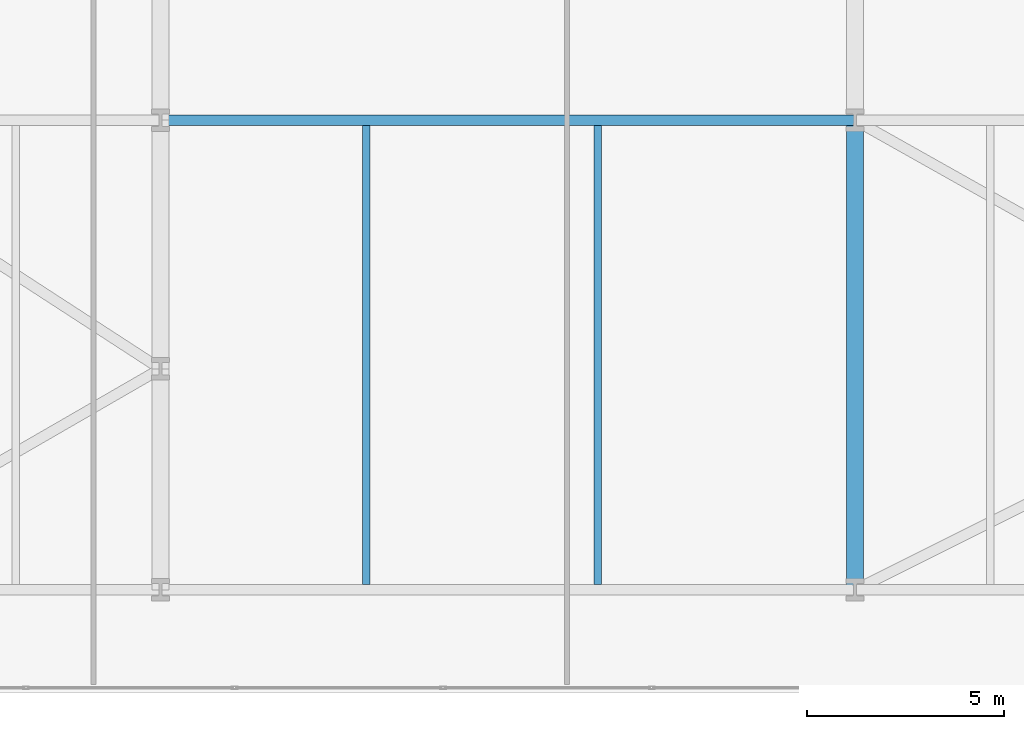
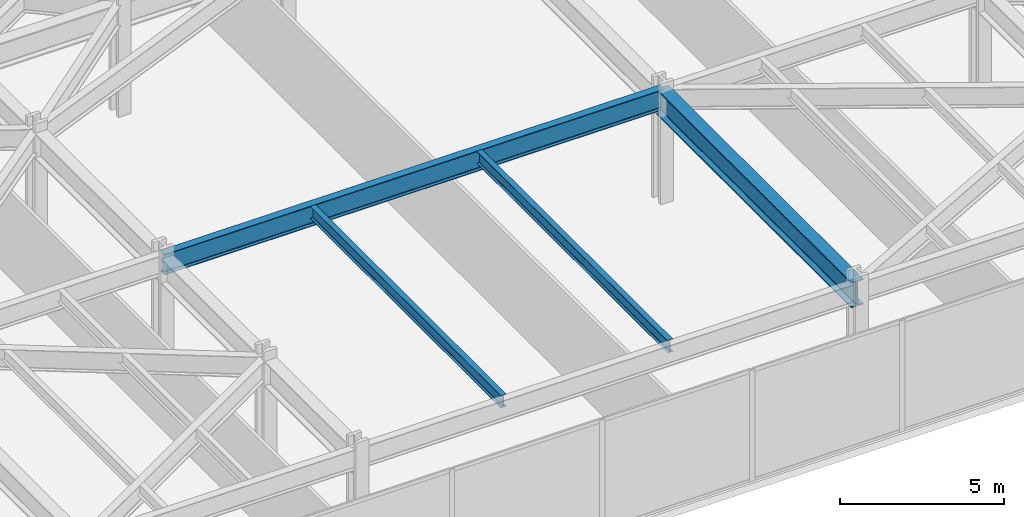
# One storey, part 15 of 30: 4 beams.
"""IFC4 building model written with IfcOpenShell, lengths in metres."""

import ifcopenshell
import ifcopenshell.guid

model = None  # the IFC model being written
_history = None  # IfcOwnerHistory: only IFC2X3 demands one
_inside = {}  # id of a spatial element -> (the spatial element, [elements in it])
_under = {}  # id of a project, library or spatial element -> (it, [spatial elements below it])
_declared = {}  # id of a project -> (the project, [libraries it declares])
_typed = {}  # id of a type object -> (the type object, [elements of that type])
_made_of = {}  # id of a material, layer set ... -> (it, [elements and type objects made of it])


def new_model(schema):
    """Start an empty IFC model of exactly this schema.

    Asked for "IFC4X3", IfcOpenShell would pick the latest addendum, in which some entities
    have other attributes; the version numbers below select the first issue.
    IFC2X3 requires an IfcOwnerHistory on every rooted entity: one is made here for all.
    """
    global model, _history
    if schema == "IFC4X3":
        model = ifcopenshell.file(schema_version=(4, 3, 0, 0))
    else:
        model = ifcopenshell.file(schema=schema)
    _inside.clear()
    _under.clear()
    _declared.clear()
    _typed.clear()
    _made_of.clear()
    _history = None
    if model.schema == "IFC2X3":
        org = make("IfcOrganization", Name="unknown")
        user = make(
            "IfcPersonAndOrganization",
            ThePerson=make("IfcPerson", FamilyName="unknown"),
            TheOrganization=org,
        )
        app = make(
            "IfcApplication",
            ApplicationDeveloper=org,
            Version="unknown",
            ApplicationFullName="unknown",
            ApplicationIdentifier="unknown",
        )
        _history = make(
            "IfcOwnerHistory",
            OwningUser=user,
            OwningApplication=app,
            ChangeAction="ADDED",
            CreationDate=0,
        )
    return model


def make(cls, **values):
    """One entity of the class cls with the attributes given. An attribute that is None is left unset."""
    return model.create_entity(
        cls, **{name: value for name, value in values.items() if value is not None}
    )


def rooted(cls, **values):
    """An entity with a GlobalId (a new one), such as an element, a storey or a relation."""
    return make(cls, GlobalId=ifcopenshell.guid.new(), OwnerHistory=_history, **values)


def si_unit(unit_type, name, prefix=None):
    """IfcSIUnit, for example si_unit("LENGTHUNIT", "METRE", prefix="MILLI")."""
    return make("IfcSIUnit", UnitType=unit_type, Prefix=prefix, Name=name)


def assignment(units):
    """IfcUnitAssignment: the units of a project."""
    return None if units is None else make("IfcUnitAssignment", Units=units)


def point(xyz):
    """IfcCartesianPoint."""
    return None if xyz is None else make("IfcCartesianPoint", Coordinates=xyz)


def direction(xyz):
    """IfcDirection."""
    return None if xyz is None else make("IfcDirection", DirectionRatios=xyz)


def frame(location, z_axis=None, x_axis=None):
    """IfcAxis2Placement3D, a coordinate frame: its origin and axes. An axis left out is left unset."""
    return make(
        "IfcAxis2Placement3D",
        Location=point(location),
        Axis=direction(z_axis),
        RefDirection=direction(x_axis),
    )


def frame_2d(location, x_axis=None):
    """IfcAxis2Placement2D, a coordinate frame in the plane: its origin and x axis."""
    return make(
        "IfcAxis2Placement2D", Location=point(location), RefDirection=direction(x_axis)
    )


def origin():
    """The frame at (0, 0, 0) with its axes left unset."""
    return frame((0.0, 0.0, 0.0))


def origin_2d():
    """The frame at (0, 0) in the plane with its x axis left unset."""
    return frame_2d((0.0, 0.0))


def place(relative_to, where):
    """IfcLocalPlacement: puts the frame where relative to a parent placement (None: the world)."""
    return make(
        "IfcLocalPlacement", PlacementRelTo=relative_to, RelativePlacement=where
    )


def context(
    kind, dimensions, precision=None, world=None, true_north=None, identifier=None
):
    """IfcGeometricRepresentationContext, for example the 3D "Model" context."""
    return make(
        "IfcGeometricRepresentationContext",
        ContextIdentifier=identifier,
        ContextType=kind,
        CoordinateSpaceDimension=dimensions,
        Precision=precision,
        WorldCoordinateSystem=world,
        TrueNorth=true_north,
    )


def subcontext(parent, identifier, kind, view, scale=None):
    """IfcGeometricRepresentationSubContext, for example "Body" below "Model"."""
    return make(
        "IfcGeometricRepresentationSubContext",
        ContextIdentifier=identifier,
        ContextType=kind,
        ParentContext=parent,
        TargetScale=scale,
        TargetView=view,
    )


def project(units=None, contexts=None):
    """IfcProject with its units and contexts."""
    return rooted(
        "IfcProject",
        Name="project",
        RepresentationContexts=contexts,
        UnitsInContext=assignment(units),
    )


def spatial(cls, under=None, at=None, **own):
    """A site, building, storey or space (cls), placed at a placement, below another one or the project."""
    s = rooted(cls, ObjectPlacement=at, **own)
    if under is not None:
        _under.setdefault(under.id(), (under, []))[1].append(s)
    return s


def profile(cls, at=None, kind="AREA", **sizes):
    """A parametric profile (cls). Its sizes go by their IFC names, for example OverallWidth=200.0."""
    return make(cls, ProfileType=kind, Position=at, **sizes)


def i_section(**sizes):
    """IfcIShapeProfileDef."""
    return profile("IfcIShapeProfileDef", **sizes)


def extrude(swept, where, along, depth):
    """IfcExtrudedAreaSolid: the profile swept, set in the frame where, extruded along a direction by depth."""
    return make(
        "IfcExtrudedAreaSolid",
        SweptArea=swept,
        Position=where,
        ExtrudedDirection=direction(along),
        Depth=depth,
    )


def shape(context_of_items, identifier, shape_type, items):
    """IfcShapeRepresentation: the items that make up one representation, for example the "Body"."""
    return make(
        "IfcShapeRepresentation",
        ContextOfItems=context_of_items,
        RepresentationIdentifier=identifier,
        RepresentationType=shape_type,
        Items=items,
    )


def material(Name=None, Category=None):
    """IfcMaterial."""
    return make("IfcMaterial", Name=Name, Category=Category)


def material_profile(
    of_material, cross_section, Name=None, Category=None, Priority=None
):
    """IfcMaterialProfile: a cross section and its material."""
    return make(
        "IfcMaterialProfile",
        Name=Name,
        Material=of_material,
        Profile=cross_section,
        Priority=Priority,
        Category=Category,
    )


def profile_set(profiles, Name=None, composite=None):
    """IfcMaterialProfileSet."""
    return make(
        "IfcMaterialProfileSet",
        Name=Name,
        MaterialProfiles=profiles,
        CompositeProfile=composite,
    )


def made_of(thing, what):
    """Note that an element or type object is made of a material, layer set ...; save() writes the relation."""
    if what is not None:
        _made_of.setdefault(what.id(), (what, []))[1].append(thing)
    return thing


def type_object(cls, material=None, **own):
    """A type object (cls), such as IfcWallType, which elements share."""
    return made_of(rooted(cls, **own), material)


def element(
    cls,
    number,
    at=None,
    inside=None,
    cuts=None,
    type_object=None,
    material=None,
    context=None,
    identifier="Body",
    shape_type=None,
    held_by="IfcProductDefinitionShape",
    body=None,
    shapes=None,
    **own,
):
    """One element of the class cls, such as IfcWall. Its Tag is "e" and its number.

    at: its placement. inside: the storey or other place that contains it. cuts: it is an
    opening in that element (IfcRelVoidsElement). A single representation is given by context,
    identifier, shape_type and body (its items); several are given by shapes. held_by: the class
    of the entity that holds the representations. save() writes the other relations.
    """
    e = rooted(cls, Tag="e%d" % number, ObjectPlacement=at, **own)
    if body is not None:
        shapes = [shape(context, identifier, shape_type, body)]
    if shapes is not None:
        e.Representation = make(held_by, Representations=shapes)
    if inside is not None:
        _inside.setdefault(inside.id(), (inside, []))[1].append(e)
    if cuts is not None:
        rooted(
            "IfcRelVoidsElement", RelatingBuildingElement=cuts, RelatedOpeningElement=e
        )
    if type_object is not None:
        _typed.setdefault(type_object.id(), (type_object, []))[1].append(e)
    return made_of(e, material)


def aggregate(whole, parts):
    """IfcRelAggregates: a whole, such as a stair, and the parts it consists of."""
    return rooted("IfcRelAggregates", RelatingObject=whole, RelatedObjects=parts)


def save(model, path):
    """Write the relations noted so far, then the file.

    IfcRelAggregates (storeys below a building ...), IfcRelContainedInSpatialStructure (elements
    in a storey), IfcRelDefinesByType, IfcRelAssociatesMaterial and IfcRelDeclares: one each for
    every whole, place, type object, material and project.
    """
    for whole, parts in _under.values():
        aggregate(whole, parts)
    for where, things in _inside.values():
        rooted(
            "IfcRelContainedInSpatialStructure",
            RelatedElements=things,
            RelatingStructure=where,
        )
    for kind, things in _typed.values():
        rooted("IfcRelDefinesByType", RelatedObjects=things, RelatingType=kind)
    for what, things in _made_of.values():
        rooted("IfcRelAssociatesMaterial", RelatedObjects=things, RelatingMaterial=what)
    for by, libraries in _declared.values():
        rooted("IfcRelDeclares", RelatingContext=by, RelatedDefinitions=libraries)
    model.write(path)


model = new_model("IFC4")

# Units and contexts
model_context = context("Model", 3, precision=1e-05, world=origin(), true_north=direction((0.0, 1.0)))
body_context = subcontext(model_context, "Body", "Model", "MODEL_VIEW")
ifc_project = project(units=[si_unit("LENGTHUNIT", "METRE"), si_unit("AREAUNIT", "SQUARE_METRE"), si_unit("VOLUMEUNIT", "CUBIC_METRE"), si_unit("PLANEANGLEUNIT", "RADIAN"), si_unit("MASSUNIT", "GRAM", prefix="KILO")], contexts=[model_context])

# Site, building, storey
site_placement = place(None, origin())
site = spatial("IfcSite", under=ifc_project, at=site_placement, CompositionType="ELEMENT")
building_placement = place(site_placement, origin())
building = spatial("IfcBuilding", under=site, at=building_placement, Name="Kravanh Interchange Tower", CompositionType="ELEMENT")
storey_placement = place(building_placement, frame((0.0, 0.0, 19.800048828125)))
storey = spatial("IfcBuildingStorey", under=building, at=storey_placement, Name="L04", CompositionType="ELEMENT", Elevation=19.800048828125)

# Beams
ifc_material_1 = material(Name="Structural Steel S450", Category="steel")
ifc_material_profile_1 = material_profile(ifc_material_1, i_section(OverallWidth=0.423095703125, OverallDepth=0.947998046875, WebThickness=0.02392578125, FlangeThickness=0.042724609375, FilletRadius=0.028076171875, at=origin_2d()), Name="W36X302")
ifc_profile_set_1 = profile_set([ifc_material_profile_1], Name="Structural Steel S450")
beam_type_1 = type_object("IfcBeamType", Name="Floor Beam W36X302 Structural Steel S450", PredefinedType="BEAM", material=ifc_profile_set_1)
beam_1_placement = place(storey_placement, frame((44.800048828125, 2.60009765625, 3.676025390625), z_axis=(0.0, 1.0, 0.0), x_axis=(-1.0, 0.0, 0.0)))
element("IfcBeam", 1, at=beam_1_placement, inside=storey, type_object=beam_type_1, Name="L04 Primary Floor Girder 11", PredefinedType="BEAM", context=body_context, shape_type="SweptSolid", body=[
    extrude(i_section(OverallWidth=0.423095703125, OverallDepth=0.947998046875, WebThickness=0.02392578125, FlangeThickness=0.042724609375, FilletRadius=0.028076171875, at=origin_2d()), origin(), (0.0, 0.0, 1.0), 11.89990234375),
])
ifc_material_2 = material(Name="Structural Steel S355", Category="steel")
ifc_material_profile_2 = material_profile(ifc_material_2, i_section(OverallWidth=0.18994140625, OverallDepth=0.45703125, WebThickness=0.009033203125, FlangeThickness=0.014404296875, FilletRadius=0.01806640625, at=origin_2d()), Name="W18X50")
ifc_profile_set_2 = profile_set([ifc_material_profile_2], Name="Structural Steel S355")
beam_type_2 = type_object("IfcBeamType", Name="Floor Joist W18X50 Structural Steel S355", PredefinedType="JOIST", material=ifc_profile_set_2)
for number, where, z_axis, x_axis, name in (
    (2, (32.4140625, 2.728515625, 3.92138671875), (0.0, 1.0, 0.0), (-1.0, 0.0, 0.0), "L04 Secondary Floor Joist 5"),
    (3, (38.281982421875, 2.728515625, 3.92138671875), (0.0, 1.0, 0.0), (-1.0, 0.0, 0.0), "L04 Secondary Floor Joist 6"),
):
    element("IfcBeam", number, at=place(storey_placement, frame(where, z_axis=z_axis, x_axis=x_axis)), inside=storey, type_object=beam_type_2, Name=name, PredefinedType="JOIST", context=body_context, shape_type="SweptSolid", body=[
        extrude(i_section(OverallWidth=0.18994140625, OverallDepth=0.45703125, WebThickness=0.009033203125, FlangeThickness=0.014404296875, FilletRadius=0.01806640625, at=origin_2d()), origin(), (0.0, 0.0, 1.0), 11.64306640625),
    ])
ifc_material_3 = material(Name="Structural Steel S355", Category="steel")
ifc_material_profile_3 = material_profile(ifc_material_3, i_section(OverallWidth=0.26708984375, OverallDepth=0.761962890625, WebThickness=0.014404296875, FlangeThickness=0.021484375, FilletRadius=0.02490234375, at=origin_2d()), Name="W30X116")
ifc_profile_set_3 = profile_set([ifc_material_profile_3], Name="Structural Steel S355")
beam_type_3 = type_object("IfcBeamType", Name="Floor Spandrel W30X116 Structural Steel S355", PredefinedType="SPANDREL", material=ifc_profile_set_3)
beam_2_placement = place(storey_placement, frame((27.199951171875, 14.5, 3.76904296875), z_axis=(1.0, 0.0, 0.0), x_axis=(0.0, 1.0, 0.0)))
element("IfcBeam", 4, at=beam_2_placement, inside=storey, type_object=beam_type_3, Name="L04 Perimeter Spandrel 46", PredefinedType="SPANDREL", context=body_context, shape_type="SweptSolid", body=[
    extrude(i_section(OverallWidth=0.26708984375, OverallDepth=0.761962890625, WebThickness=0.014404296875, FlangeThickness=0.021484375, FilletRadius=0.02490234375, at=origin_2d()), origin(), (0.0, 0.0, 1.0), 17.60009765625),
])

save(model, "model.ifc")
